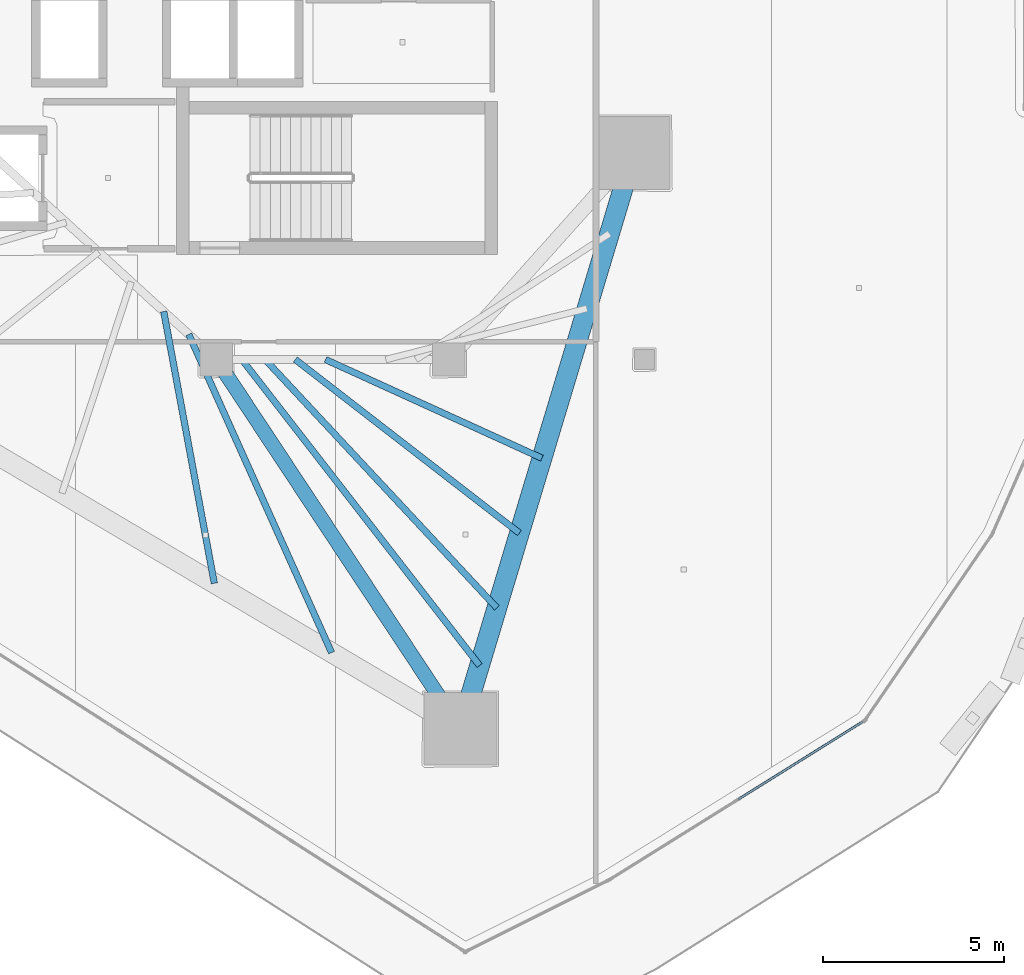
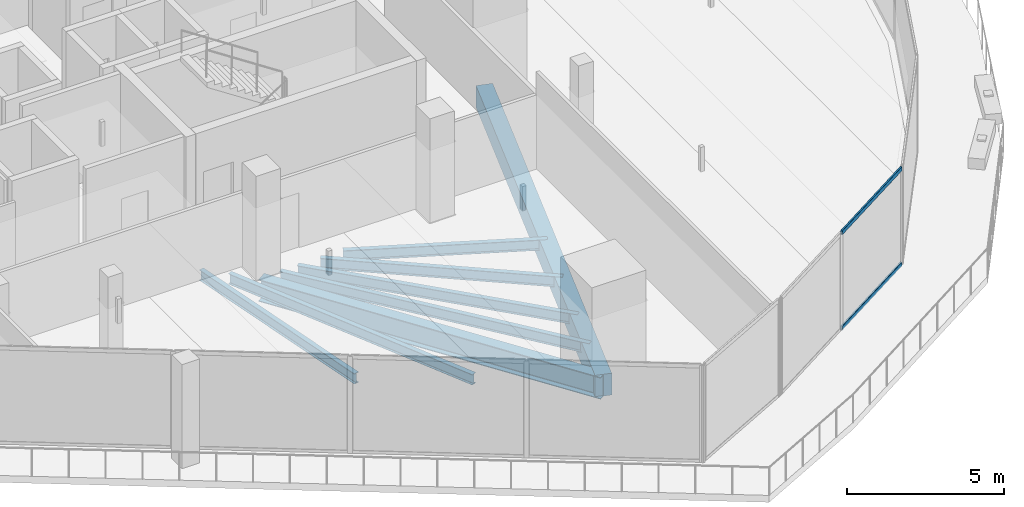
# One storey, part 11 of 36: 8 beams, 2 members, 1 element without a shape of its own.
"""IFC4 building model written with IfcOpenShell, lengths in metres."""

from ifc_helpers import new_model, si_unit, direction, frame, origin, origin_2d, place, context, subcontext, project, spatial, rectangle, hollow_rectangle, i_section, extrude, material, layer, layer_set, material_profile, profile_set, type_object, element, aggregate, save


model = new_model("IFC4")

# Units and contexts
model_context = context("Model", 3, precision=1e-05, world=origin(), true_north=direction((0.0, 1.0)))
body_context = subcontext(model_context, "Body", "Model", "MODEL_VIEW")
ifc_project = project(units=[si_unit("LENGTHUNIT", "METRE"), si_unit("AREAUNIT", "SQUARE_METRE"), si_unit("VOLUMEUNIT", "CUBIC_METRE"), si_unit("PLANEANGLEUNIT", "RADIAN"), si_unit("MASSUNIT", "GRAM", prefix="KILO")], contexts=[model_context])

# Site, building, storey
site_placement = place(None, origin())
site = spatial("IfcSite", under=ifc_project, at=site_placement, CompositionType="ELEMENT")
building_placement = place(site_placement, origin())
building = spatial("IfcBuilding", under=site, at=building_placement, Name="Qorvath Tower", CompositionType="ELEMENT")
storey_placement = place(building_placement, frame((0.0, 0.0, 192.89990234375)))
storey = spatial("IfcBuildingStorey", under=building, at=storey_placement, Name="L44", CompositionType="ELEMENT", Elevation=192.89990234375)

# Beams
ifc_material_1 = material(Name="Steel ASTM A992 Grade 50", Category="steel")
ifc_material_profile_1 = material_profile(ifc_material_1, i_section(OverallWidth=0.39892578125, OverallDepth=0.85498046875, WebThickness=0.018310546875, FlangeThickness=0.029296875, FilletRadius=0.02001953125, at=origin_2d()), Name="W33x201")
ifc_profile_set_1 = profile_set([ifc_material_profile_1], Name="Steel ASTM A992 Grade 50")
beam_type_1 = type_object("IfcBeamType", Name="BM-FG2", PredefinedType="BEAM", material=ifc_profile_set_1)
beam_1_placement = place(storey_placement, frame((-23.60009765625, -11.449951171875, -0.697509765625), z_axis=(0.551500517741, -0.834174549439, 0.0), x_axis=(0.834174549439, 0.551500517741, 0.0)))
element("IfcBeam", 1, at=beam_1_placement, inside=storey, type_object=beam_type_1, Name="Radial Floor Girder CC4-MC3 L44", PredefinedType="BEAM", context=body_context, shape_type="SweptSolid", body=[
    extrude(i_section(OverallWidth=0.39892578125, OverallDepth=0.85498046875, WebThickness=0.018310546875, FlangeThickness=0.029296875, FilletRadius=0.02001953125, at=origin_2d()), origin(), (0.0, 0.0, 1.0), 12.200439453125),
])
ifc_material_2 = material(Name="Steel ASTM A992 Grade 50", Category="steel")
ifc_material_profile_2 = material_profile(ifc_material_2, i_section(OverallWidth=0.177978515625, OverallDepth=0.406005859375, WebThickness=0.0078125, FlangeThickness=0.0126953125, FilletRadius=0.010986328125, at=origin_2d()), Name="W16x40")
ifc_profile_set_2 = profile_set([ifc_material_profile_2], Name="Steel ASTM A992 Grade 50")
beam_type_2 = type_object("IfcBeamType", Name="BM-FJ3", PredefinedType="JOIST", material=ifc_profile_set_2)
beam_2_placement = place(storey_placement, frame((-20.592041015625, -11.449951171875, -0.472900390625), z_axis=(0.909945081179, -0.414728765868, 0.0), x_axis=(0.414728765868, 0.909945081179, 0.0)))
element("IfcBeam", 2, at=beam_2_placement, inside=storey, type_object=beam_type_2, Name="Composite Floor Joist SE4 L44", PredefinedType="JOIST", context=body_context, shape_type="SweptSolid", body=[
    extrude(i_section(OverallWidth=0.177978515625, OverallDepth=0.406005859375, WebThickness=0.0078125, FlangeThickness=0.0126953125, FilletRadius=0.010986328125, at=origin_2d()), origin(), (0.0, 0.0, 1.0), 6.554931640625),
])
beam_3_placement = place(storey_placement, frame((-21.424072265625, -11.449951171875, -0.472900390625), z_axis=(0.790693445503, -0.612212279555, 0.0), x_axis=(0.612212279555, 0.790693445503, 0.0)))
element("IfcBeam", 3, at=beam_3_placement, inside=storey, type_object=beam_type_2, Name="Composite Floor Joist SE5 L44", PredefinedType="JOIST", context=body_context, shape_type="SweptSolid", body=[
    extrude(i_section(OverallWidth=0.177978515625, OverallDepth=0.406005859375, WebThickness=0.0078125, FlangeThickness=0.0126953125, FilletRadius=0.010986328125, at=origin_2d()), origin(), (0.0, 0.0, 1.0), 7.810546875),
])
beam_4_placement = place(storey_placement, frame((-22.256103515625, -11.449951171875, -0.472900390625), z_axis=(0.682249490937, -0.731119437654, 0.0), x_axis=(0.731119437654, 0.682249490937, 0.0)))
element("IfcBeam", 4, at=beam_4_placement, inside=storey, type_object=beam_type_2, Name="Composite Floor Joist SE6 L44", PredefinedType="JOIST", context=body_context, shape_type="SweptSolid", body=[
    extrude(i_section(OverallWidth=0.177978515625, OverallDepth=0.406005859375, WebThickness=0.0078125, FlangeThickness=0.0126953125, FilletRadius=0.010986328125, at=origin_2d()), origin(), (0.0, 0.0, 1.0), 9.362060546875),
])
beam_5_placement = place(storey_placement, frame((-22.89599609375, -11.449951171875, -0.472900390625), z_axis=(0.61345131907, -0.789732536452, 0.0), x_axis=(0.789732536452, 0.61345131907, 0.0)))
element("IfcBeam", 5, at=beam_5_placement, inside=storey, type_object=beam_type_2, Name="Composite Floor Joist SE7 L44", PredefinedType="JOIST", context=body_context, shape_type="SweptSolid", body=[
    extrude(i_section(OverallWidth=0.177978515625, OverallDepth=0.406005859375, WebThickness=0.0078125, FlangeThickness=0.0126953125, FilletRadius=0.010986328125, at=origin_2d()), origin(), (0.0, 0.0, 1.0), 10.676513671875),
])
beam_6_placement = place(storey_placement, frame((-25.049072265625, -10.126953125, -0.472900390625), z_axis=(0.183026775988, -0.983107928598, 0.0), x_axis=(0.983107928598, 0.183026775988, 0.0)))
element("IfcBeam", 6, at=beam_6_placement, inside=storey, type_object=beam_type_2, Name="Composite Floor Joist SW6 L44", PredefinedType="JOIST", context=body_context, shape_type="SweptSolid", body=[
    extrude(i_section(OverallWidth=0.177978515625, OverallDepth=0.406005859375, WebThickness=0.0078125, FlangeThickness=0.0126953125, FilletRadius=0.010986328125, at=origin_2d()), origin(), (0.0, 0.0, 1.0), 7.617919921875),
])
beam_7_placement = place(storey_placement, frame((-24.35888671875, -10.757080078125, -0.472900390625), z_axis=(0.409327209141, -0.912387656568, 0.0), x_axis=(0.912387656568, 0.409327209141, 0.0)))
element("IfcBeam", 7, at=beam_7_placement, inside=storey, type_object=beam_type_2, Name="Composite Floor Joist SW7 L44", PredefinedType="JOIST", context=body_context, shape_type="SweptSolid", body=[
    extrude(i_section(OverallWidth=0.177978515625, OverallDepth=0.406005859375, WebThickness=0.0078125, FlangeThickness=0.0126953125, FilletRadius=0.010986328125, at=origin_2d()), origin(), (0.0, 0.0, 1.0), 9.611083984375),
])
ifc_material_3 = material(Name="Concrete C50/60", Category="concrete")
ifc_material_profile_3 = material_profile(ifc_material_3, rectangle(XDim=0.550048828125, YDim=0.85009765625, at=origin_2d()), Name="RCB 850x550")
ifc_profile_set_3 = profile_set([ifc_material_profile_3], Name="Concrete C50/60")
beam_type_3 = type_object("IfcBeamType", Name="BM-RCB2", PredefinedType="SPANDREL", material=ifc_profile_set_3)
beam_8_placement = place(storey_placement, frame((-16.87158203125, -21.627197265625, -0.695068359375), z_axis=(0.28812763802, 0.957592013443, 0.0), x_axis=(-0.957592013443, 0.28812763802, 0.0)))
element("IfcBeam", 8, at=beam_8_placement, inside=storey, type_object=beam_type_3, Name="Perimeter Loggia Frame Beam MC3-MC4 L44", PredefinedType="SPANDREL", context=body_context, shape_type="SweptSolid", body=[
    extrude(rectangle(XDim=0.550048828125, YDim=0.85009765625, at=origin_2d()), origin(), (0.0, 0.0, 1.0), 16.572265625),
])

# Curtain wall, members
ifc_material_4 = material(Name="Anodised aluminium and triple low-E glass", Category="aluminium")
ifc_layer = layer(ifc_material_4, 0.179931640625)
ifc_layer_set = layer_set([ifc_layer], Name="CW-SYS-3")
curtain_wall_type = type_object("IfcCurtainWallType", Name="CW-SYS-3", PredefinedType="NOTDEFINED", material=ifc_layer_set)
curtain_wall_placement = place(storey_placement, origin())
curtain_wall = element("IfcCurtainWall", 9, at=curtain_wall_placement, inside=storey, type_object=curtain_wall_type, Name="Curtain Wall CW-3 CW-T-L44-4.1", PredefinedType="NOTDEFINED")
ifc_material_5 = material(Name="Anodised aluminium 6063-T6", Category="aluminium")
ifc_material_profile_4 = material_profile(ifc_material_5, hollow_rectangle(XDim=0.06494140625, YDim=0.159912109375, WallThickness=0.00341796875, InnerFilletRadius=0.00341796875, OuterFilletRadius=0.007080078125, at=origin_2d()), Name="CWT 160x65")
ifc_profile_set_4 = profile_set([ifc_material_profile_4], Name="Anodised aluminium 6063-T6")
member_type = type_object("IfcMemberType", Name="CWT-160", PredefinedType="USERDEFINED", material=ifc_profile_set_4)
member_1_placement = place(storey_placement, frame((-9.225830078125, -23.573486328125, 0.032470703125), z_axis=(0.848485179469, 0.529219141964, 0.0), x_axis=(-0.529219141964, 0.848485179469, 0.0)))
member_1 = element("IfcMember", 10, at=member_1_placement, type_object=member_type, Name="CW-3 transom 2.1", ObjectType="TRANSOM", PredefinedType="USERDEFINED", context=body_context, shape_type="SweptSolid", body=[
    extrude(hollow_rectangle(XDim=0.06494140625, YDim=0.159912109375, WallThickness=0.00341796875, InnerFilletRadius=0.00341796875, OuterFilletRadius=0.007080078125, at=origin_2d()), origin(), (0.0, 0.0, 1.0), 4.0537109375),
])
member_2_placement = place(storey_placement, frame((-9.225830078125, -23.573486328125, 3.74755859375), z_axis=(0.848485179469, 0.529219141964, 0.0), x_axis=(-0.529219141964, 0.848485179469, 0.0)))
member_2 = element("IfcMember", 11, at=member_2_placement, type_object=member_type, Name="CW-3 transom 2.2", ObjectType="TRANSOM", PredefinedType="USERDEFINED", context=body_context, shape_type="SweptSolid", body=[
    extrude(hollow_rectangle(XDim=0.06494140625, YDim=0.159912109375, WallThickness=0.00341796875, InnerFilletRadius=0.00341796875, OuterFilletRadius=0.007080078125, at=origin_2d()), origin(), (0.0, 0.0, 1.0), 4.0537109375),
])
aggregate(curtain_wall, [member_1, member_2])

save(model, "model.ifc")
